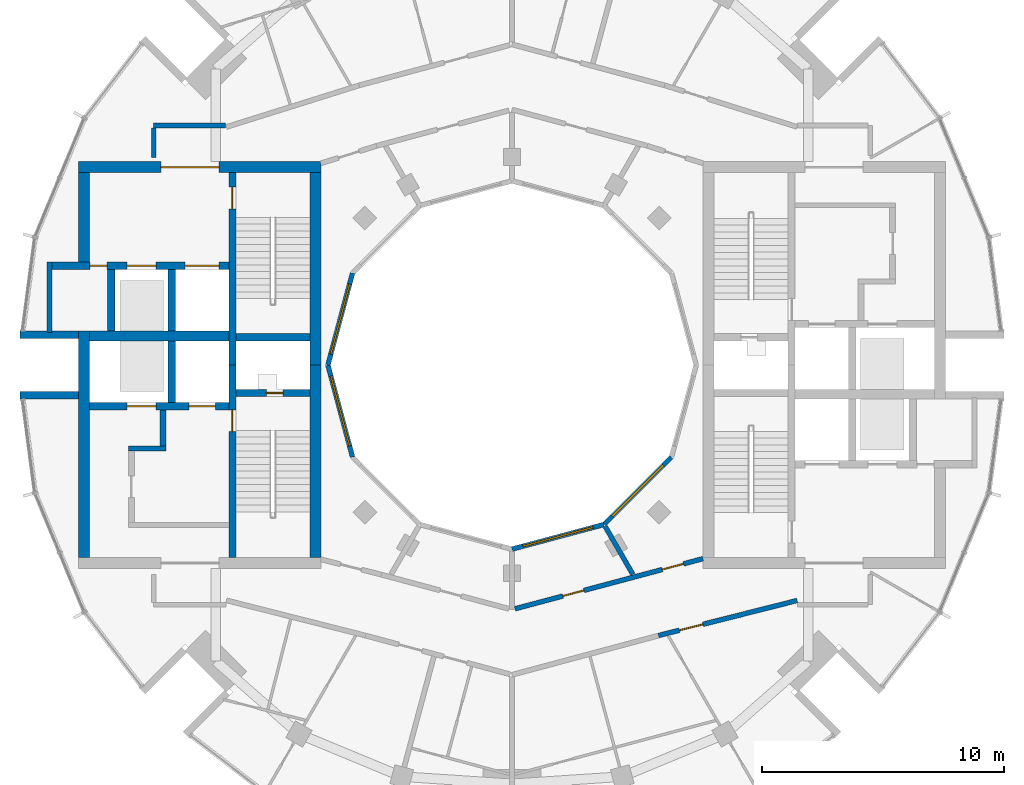
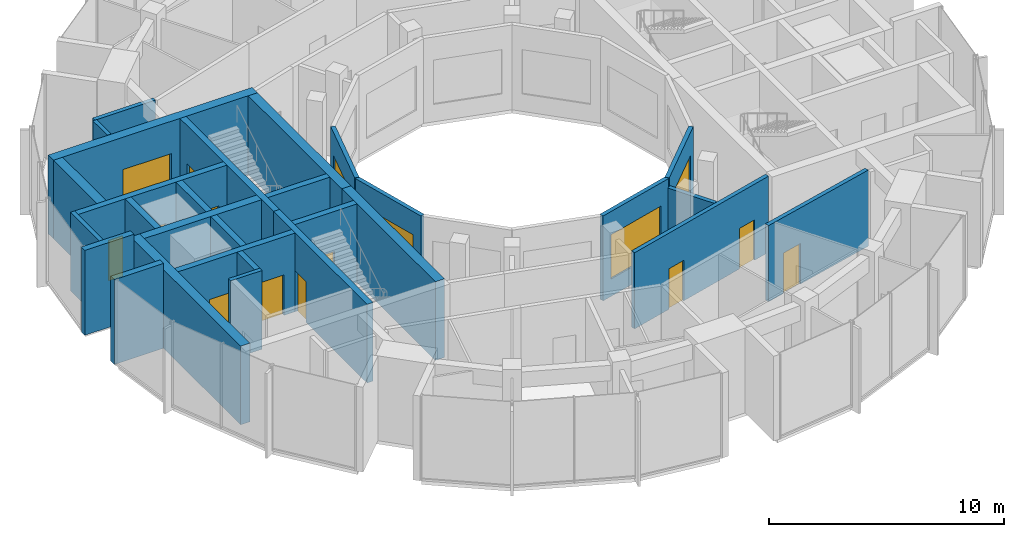
# One storey, part 8 of 13: 29 walls, 12 doors, 4 windows, 16 openings.
"""IFC4 building model written with IfcOpenShell, lengths in metres."""

from ifc_helpers import new_model, si_unit, direction, frame, frame_2d, origin, place, context, subcontext, project, spatial, rectangle, extrude, material, layer, layer_set, type_object, element, fill, save


model = new_model("IFC4")

# Units and contexts
model_context = context("Model", 3, precision=1e-05, world=origin(), true_north=direction((0.0, 1.0)))
body_context = subcontext(model_context, "Body", "Model", "MODEL_VIEW")
ifc_project = project(units=[si_unit("LENGTHUNIT", "METRE"), si_unit("AREAUNIT", "SQUARE_METRE"), si_unit("VOLUMEUNIT", "CUBIC_METRE"), si_unit("PLANEANGLEUNIT", "RADIAN"), si_unit("MASSUNIT", "GRAM", prefix="KILO")], contexts=[model_context])

# Site, building, storey
site_placement = place(None, origin())
site = spatial("IfcSite", under=ifc_project, at=site_placement, CompositionType="ELEMENT")
building_placement = place(site_placement, origin())
building = spatial("IfcBuilding", under=site, at=building_placement, Name="Torre Brocal", CompositionType="ELEMENT")
storey_placement = place(building_placement, frame((0.0, 0.0, 319.300048828125)))
storey = spatial("IfcBuildingStorey", under=building, at=storey_placement, Name="L73", CompositionType="ELEMENT", Elevation=319.300048828125)

# Walls
ifc_material_1 = material(Name="Masonry block", Category="masonry")
ifc_layer_1 = layer(ifc_material_1, 0.199951171875)
ifc_layer_set_1 = layer_set([ifc_layer_1], Name="Masonry block")
wall_type_1 = type_object("IfcWallType", Name="CORE PARTITION 200", PredefinedType="PARTITIONING", material=ifc_layer_set_1)
wall_1_placement = place(storey_placement, frame((60.89990234375, 79.25, 0.0), z_axis=(0.0, 0.0, 1.0), x_axis=(0.0, -1.0, 0.0)))
element("IfcWall", 1, at=wall_1_placement, inside=storey, type_object=wall_type_1, Name="Wall CP200", PredefinedType="PARTITIONING", context=body_context, shape_type="SweptSolid", body=[
    extrude(rectangle(XDim=2.89990234375, YDim=0.199951171875, at=frame_2d((1.449951171875, 0.0))), origin(), (0.0, 0.0, 1.0), 4.079833984375),
])
ifc_material_2 = material(Name="Concrete C50", Category="concrete")
ifc_layer_2 = layer(ifc_material_2, 0.199951171875)
ifc_layer_set_2 = layer_set([ifc_layer_2], Name="Concrete C50")
wall_type_2 = type_object("IfcWallType", Name="CORE WALL 200 C50", PredefinedType="SHEAR", material=ifc_layer_set_2)
wall_2_placement = place(storey_placement, frame((65.699951171875, 71.550048828125, 0.0), z_axis=(0.0, 0.0, 1.0), x_axis=(-1.0, 0.0, 0.0)))
element("IfcWall", 2, at=wall_2_placement, inside=storey, type_object=wall_type_2, Name="Wall CW200-50", PredefinedType="SHEAR", context=body_context, shape_type="SweptSolid", body=[
    extrude(rectangle(XDim=1.550048828125, YDim=0.199951171875, at=frame_2d((0.77490234375, 0.0))), origin(), (0.0, 0.0, 1.0), 4.079833984375),
])
ifc_material_3 = material(Name="Concrete C50", Category="concrete")
ifc_layer_3 = layer(ifc_material_3, 0.25)
ifc_layer_set_3 = layer_set([ifc_layer_3], Name="Concrete C50")
wall_type_3 = type_object("IfcWallType", Name="CORE WALL 250 C50", PredefinedType="SHEAR", material=ifc_layer_set_3)
wall_3_placement = place(storey_placement, frame((65.574951171875, 73.14990234375, 0.0), z_axis=(0.0, 0.0, 1.0), x_axis=(0.0, -1.0, 0.0)))
element("IfcWall", 3, at=wall_3_placement, inside=storey, type_object=wall_type_3, Name="Wall CW250-50", PredefinedType="SHEAR", context=body_context, shape_type="SweptSolid", body=[
    extrude(rectangle(XDim=1.5, YDim=0.25, at=frame_2d((0.75, 0.0))), origin(), (0.0, 0.0, 1.0), 4.079833984375),
])

# Wall, opening, door
ifc_material_4 = material(Name="Concrete C50", Category="concrete")
ifc_layer_4 = layer(ifc_material_4, 0.300048828125)
ifc_layer_set_4 = layer_set([ifc_layer_4], Name="Concrete C50")
wall_type_4 = type_object("IfcWallType", Name="CORE WALL 300 C50", PredefinedType="SHEAR", material=ifc_layer_set_4)
wall_4_placement = place(storey_placement, frame((68.449951171875, 75.0, 0.0), z_axis=(0.0, 0.0, 1.0), x_axis=(0.0, -1.0, 0.0)))
wall_4 = element("IfcWall", 4, at=wall_4_placement, inside=storey, type_object=wall_type_4, Name="Wall CW300-50", PredefinedType="SHEAR", context=body_context, shape_type="SweptSolid", body=[
    extrude(rectangle(XDim=7.949951171875, YDim=0.300048828125, at=frame_2d((3.97509765625, 0.0))), origin(), (0.0, 0.0, 1.0), 4.079833984375),
])
opening_1_placement = place(wall_4_placement, frame((1.85009765625, 0.0, 0.0)))
opening_1 = element("IfcOpeningElement", 5, at=opening_1_placement, cuts=wall_4, Name="Opening W-D02", PredefinedType="OPENING", context=body_context, shape_type="SweptSolid", body=[
    extrude(rectangle(XDim=0.89990234375, YDim=2.10009765625, at=frame_2d((0.449951171875, 1.050048828125))), frame((0.0, 0.159912109375, 0.0), z_axis=(0.0, -1.0, 0.0), x_axis=(1.0, 0.0, 0.0)), (0.0, 0.0, 1.0), 0.320068359375),
])
ifc_material_5 = material(Name="Steel A653", Category="steel")
door_type_1 = type_object("IfcDoorType", Name="STAIR DOOR FD120 900X2100", OperationType="SINGLE_SWING_RIGHT", PredefinedType="DOOR", material=ifc_material_5)
door_1_placement = place(opening_1_placement, origin())
door_1 = element("IfcDoor", 6, at=door_1_placement, inside=storey, type_object=door_type_1, Name="Door W-D02", OperationType="SINGLE_SWING_LEFT", OverallHeight=2.10009765625, OverallWidth=0.89990234375, PredefinedType="DOOR", context=body_context, shape_type="SweptSolid", body=[
    extrude(rectangle(XDim=0.89990234375, YDim=2.10009765625, at=frame_2d((0.449951171875, 1.050048828125))), frame((0.0, 0.02490234375, 0.0), z_axis=(0.0, -1.0, 0.0), x_axis=(1.0, 0.0, 0.0)), (0.0, 0.0, 1.0), 0.050048828125),
])
fill(opening_1, door_1)

wall_5_placement = place(storey_placement, frame((68.449951171875, 82.949951171875, 0.0), z_axis=(0.0, 0.0, 1.0), x_axis=(0.0, -1.0, 0.0)))
wall_5 = element("IfcWall", 7, at=wall_5_placement, inside=storey, type_object=wall_type_4, Name="Wall CW300-50", PredefinedType="SHEAR", context=body_context, shape_type="SweptSolid", body=[
    extrude(rectangle(XDim=7.949951171875, YDim=0.300048828125, at=frame_2d((3.97509765625, 0.0))), origin(), (0.0, 0.0, 1.0), 4.079833984375),
])
opening_2_placement = place(wall_5_placement, frame((0.60009765625, 0.0, 0.0)))
opening_2 = element("IfcOpeningElement", 8, at=opening_2_placement, cuts=wall_5, Name="Opening W-D03", PredefinedType="OPENING", context=body_context, shape_type="SweptSolid", body=[
    extrude(rectangle(XDim=0.89990234375, YDim=2.10009765625, at=frame_2d((0.449951171875, 1.050048828125))), frame((0.0, 0.159912109375, 0.0), z_axis=(0.0, -1.0, 0.0), x_axis=(1.0, 0.0, 0.0)), (0.0, 0.0, 1.0), 0.320068359375),
])
door_2_placement = place(opening_2_placement, origin())
door_2 = element("IfcDoor", 9, at=door_2_placement, inside=storey, type_object=door_type_1, Name="Door W-D03", OperationType="SINGLE_SWING_LEFT", OverallHeight=2.10009765625, OverallWidth=0.89990234375, PredefinedType="DOOR", context=body_context, shape_type="SweptSolid", body=[
    extrude(rectangle(XDim=0.89990234375, YDim=2.10009765625, at=frame_2d((0.449951171875, 1.050048828125))), frame((0.0, 0.02490234375, 0.0), z_axis=(0.0, -1.0, 0.0), x_axis=(1.0, 0.0, 0.0)), (0.0, 0.0, 1.0), 0.050048828125),
])
fill(opening_2, door_2)

wall_6_placement = place(storey_placement, frame((71.64990234375, 73.85009765625, 0.0), z_axis=(0.0, 0.0, 1.0), x_axis=(-1.0, 0.0, 0.0)))
wall_6 = element("IfcWall", 10, at=wall_6_placement, inside=storey, type_object=wall_type_4, Name="Wall CW300-50", PredefinedType="SHEAR", context=body_context, shape_type="SweptSolid", body=[
    extrude(rectangle(XDim=3.0498046875, YDim=0.300048828125, at=frame_2d((1.52490234375, 0.0))), origin(), (0.0, 0.0, 1.0), 4.079833984375),
])
opening_3_placement = place(wall_6_placement, frame((1.10009765625, 0.0, 0.0)))
opening_3 = element("IfcOpeningElement", 11, at=opening_3_placement, cuts=wall_6, Name="Opening W-D01", PredefinedType="OPENING", context=body_context, shape_type="SweptSolid", body=[
    extrude(rectangle(XDim=0.699951171875, YDim=2.0, at=frame_2d((0.35009765625, 1.0))), frame((0.0, 0.159912109375, 0.0), z_axis=(0.0, -1.0, 0.0), x_axis=(1.0, 0.0, 0.0)), (0.0, 0.0, 1.0), 0.320068359375),
])
ifc_material_6 = material(Name="Steel A653", Category="steel")
door_type_2 = type_object("IfcDoorType", Name="RISER DOOR FD120 700X2000", OperationType="SINGLE_SWING_LEFT", PredefinedType="DOOR", material=ifc_material_6)
door_3_placement = place(opening_3_placement, frame((0.699951171875, 0.0, 0.0), z_axis=(0.0, 0.0, 1.0), x_axis=(-1.0, 0.0, 0.0)))
door_3 = element("IfcDoor", 12, at=door_3_placement, inside=storey, type_object=door_type_2, Name="Door W-D01", OperationType="SINGLE_SWING_RIGHT", OverallHeight=2.0, OverallWidth=0.699951171875, PredefinedType="DOOR", context=body_context, shape_type="SweptSolid", body=[
    extrude(rectangle(XDim=0.699951171875, YDim=2.0, at=frame_2d((0.35009765625, 1.0))), frame((0.0, 0.02490234375, 0.0), z_axis=(0.0, -1.0, 0.0), x_axis=(1.0, 0.0, 0.0)), (0.0, 0.0, 1.0), 0.050048828125),
])
fill(opening_3, door_3)

# Wall
wall_7_placement = place(storey_placement, frame((71.64990234375, 76.14990234375, 0.0), z_axis=(0.0, 0.0, 1.0), x_axis=(-1.0, 0.0, 0.0)))
element("IfcWall", 13, at=wall_7_placement, inside=storey, type_object=wall_type_4, Name="Wall CW300-50", PredefinedType="SHEAR", context=body_context, shape_type="SweptSolid", body=[
    extrude(rectangle(XDim=3.0498046875, YDim=0.300048828125, at=frame_2d((1.52490234375, 0.0))), origin(), (0.0, 0.0, 1.0), 4.079833984375),
])

# Wall, openings, doors
wall_8_placement = place(storey_placement, frame((68.300048828125, 73.300048828125, 0.0), z_axis=(0.0, 0.0, 1.0), x_axis=(-1.0, 0.0, 0.0)))
wall_8 = element("IfcWall", 14, at=wall_8_placement, inside=storey, type_object=wall_type_4, Name="Wall CW300-50", PredefinedType="SHEAR", context=body_context, shape_type="SweptSolid", body=[
    extrude(rectangle(XDim=5.75, YDim=0.300048828125, at=frame_2d((2.875, 0.0))), origin(), (0.0, 0.0, 1.0), 4.079833984375),
])
opening_4_placement = place(wall_8_placement, frame((0.550048828125, 0.0, 0.0)))
opening_4 = element("IfcOpeningElement", 15, at=opening_4_placement, cuts=wall_8, Name="Opening LD", PredefinedType="OPENING", context=body_context, shape_type="SweptSolid", body=[
    extrude(rectangle(XDim=1.10009765625, YDim=2.10009765625, at=frame_2d((0.550048828125, 1.050048828125))), frame((0.0, 0.159912109375, 0.0), z_axis=(0.0, -1.0, 0.0), x_axis=(1.0, 0.0, 0.0)), (0.0, 0.0, 1.0), 0.320068359375),
])
opening_5_placement = place(wall_8_placement, frame((3.0, 0.0, 0.0)))
opening_5 = element("IfcOpeningElement", 16, at=opening_5_placement, cuts=wall_8, Name="Opening LD12", PredefinedType="OPENING", context=body_context, shape_type="SweptSolid", body=[
    extrude(rectangle(XDim=1.199951171875, YDim=2.10009765625, at=frame_2d((0.60009765625, 1.050048828125))), frame((0.0, 0.159912109375, 0.0), z_axis=(0.0, -1.0, 0.0), x_axis=(1.0, 0.0, 0.0)), (0.0, 0.0, 1.0), 0.320068359375),
])
ifc_material_7 = material(Name="Stainless steel AISI 316", Category="steel")
door_type_3 = type_object("IfcDoorType", Name="LIFT LANDING DOOR 1100X2100", OperationType="DOUBLE_DOOR_SLIDING", PredefinedType="DOOR", material=ifc_material_7)
door_4_placement = place(opening_4_placement, origin())
door_4 = element("IfcDoor", 17, at=door_4_placement, inside=storey, type_object=door_type_3, Name="Door LD", OperationType="DOUBLE_DOOR_SLIDING", OverallHeight=2.10009765625, OverallWidth=1.10009765625, PredefinedType="DOOR", context=body_context, shape_type="SweptSolid", body=[
    extrude(rectangle(XDim=1.10009765625, YDim=2.10009765625, at=frame_2d((0.550048828125, 1.050048828125))), frame((0.0, 0.02490234375, 0.0), z_axis=(0.0, -1.0, 0.0), x_axis=(1.0, 0.0, 0.0)), (0.0, 0.0, 1.0), 0.050048828125),
])
fill(opening_4, door_4)
ifc_material_8 = material(Name="Stainless steel AISI 316", Category="steel")
door_type_4 = type_object("IfcDoorType", Name="LIFT LANDING DOOR 1200X2100", OperationType="DOUBLE_DOOR_SLIDING", PredefinedType="DOOR", material=ifc_material_8)
door_5_placement = place(opening_5_placement, origin())
door_5 = element("IfcDoor", 18, at=door_5_placement, inside=storey, type_object=door_type_4, Name="Door LD12", OperationType="DOUBLE_DOOR_SLIDING", OverallHeight=2.10009765625, OverallWidth=1.199951171875, PredefinedType="DOOR", context=body_context, shape_type="SweptSolid", body=[
    extrude(rectangle(XDim=1.199951171875, YDim=2.10009765625, at=frame_2d((0.60009765625, 1.050048828125))), frame((0.0, 0.02490234375, 0.0), z_axis=(0.0, -1.0, 0.0), x_axis=(1.0, 0.0, 0.0)), (0.0, 0.0, 1.0), 0.050048828125),
])
fill(opening_5, door_5)

wall_9_placement = place(storey_placement, frame((68.300048828125, 79.10009765625, 0.0), z_axis=(0.0, 0.0, 1.0), x_axis=(-1.0, 0.0, 0.0)))
wall_9 = element("IfcWall", 19, at=wall_9_placement, inside=storey, type_object=wall_type_4, Name="Wall CW300-50", PredefinedType="SHEAR", context=body_context, shape_type="SweptSolid", body=[
    extrude(rectangle(XDim=7.300048828125, YDim=0.300048828125, at=frame_2d((3.64990234375, 0.0))), origin(), (0.0, 0.0, 1.0), 4.079833984375),
])
opening_6_placement = place(wall_9_placement, frame((0.39990234375, 0.0, 0.0)))
opening_6 = element("IfcOpeningElement", 20, at=opening_6_placement, cuts=wall_9, Name="Opening LD14", PredefinedType="OPENING", context=body_context, shape_type="SweptSolid", body=[
    extrude(rectangle(XDim=1.39990234375, YDim=2.10009765625, at=frame_2d((0.699951171875, 1.050048828125))), frame((0.0, 0.159912109375, 0.0), z_axis=(0.0, -1.0, 0.0), x_axis=(1.0, 0.0, 0.0)), (0.0, 0.0, 1.0), 0.320068359375),
])
opening_7_placement = place(wall_9_placement, frame((3.0, 0.0, 0.0)))
opening_7 = element("IfcOpeningElement", 21, at=opening_7_placement, cuts=wall_9, Name="Opening LD12", PredefinedType="OPENING", context=body_context, shape_type="SweptSolid", body=[
    extrude(rectangle(XDim=1.199951171875, YDim=2.10009765625, at=frame_2d((0.60009765625, 1.050048828125))), frame((0.0, 0.159912109375, 0.0), z_axis=(0.0, -1.0, 0.0), x_axis=(1.0, 0.0, 0.0)), (0.0, 0.0, 1.0), 0.320068359375),
])
opening_8_placement = place(wall_9_placement, frame((5.02490234375, 0.0, 0.0)))
opening_8 = element("IfcOpeningElement", 22, at=opening_8_placement, cuts=wall_9, Name="Opening W-D17", PredefinedType="OPENING", context=body_context, shape_type="SweptSolid", body=[
    extrude(rectangle(XDim=0.699951171875, YDim=2.10009765625, at=frame_2d((0.35009765625, 1.050048828125))), frame((0.0, 0.159912109375, 0.0), z_axis=(0.0, -1.0, 0.0), x_axis=(1.0, 0.0, 0.0)), (0.0, 0.0, 1.0), 0.320068359375),
])
door_6_placement = place(opening_7_placement, origin())
door_6 = element("IfcDoor", 23, at=door_6_placement, inside=storey, type_object=door_type_4, Name="Door LD12", OperationType="DOUBLE_DOOR_SLIDING", OverallHeight=2.10009765625, OverallWidth=1.199951171875, PredefinedType="DOOR", context=body_context, shape_type="SweptSolid", body=[
    extrude(rectangle(XDim=1.199951171875, YDim=2.10009765625, at=frame_2d((0.60009765625, 1.050048828125))), frame((0.0, 0.02490234375, 0.0), z_axis=(0.0, -1.0, 0.0), x_axis=(1.0, 0.0, 0.0)), (0.0, 0.0, 1.0), 0.050048828125),
])
fill(opening_7, door_6)
ifc_material_9 = material(Name="Stainless steel AISI 316", Category="steel")
door_type_5 = type_object("IfcDoorType", Name="LIFT LANDING DOOR 1400X2100", OperationType="DOUBLE_DOOR_SLIDING", PredefinedType="DOOR", material=ifc_material_9)
door_7_placement = place(opening_6_placement, origin())
door_7 = element("IfcDoor", 24, at=door_7_placement, inside=storey, type_object=door_type_5, Name="Door LD14", OperationType="DOUBLE_DOOR_SLIDING", OverallHeight=2.10009765625, OverallWidth=1.39990234375, PredefinedType="DOOR", context=body_context, shape_type="SweptSolid", body=[
    extrude(rectangle(XDim=1.39990234375, YDim=2.10009765625, at=frame_2d((0.699951171875, 1.050048828125))), frame((0.0, 0.02490234375, 0.0), z_axis=(0.0, -1.0, 0.0), x_axis=(1.0, 0.0, 0.0)), (0.0, 0.0, 1.0), 0.050048828125),
])
fill(opening_6, door_7)
ifc_material_10 = material(Name="Steel A653", Category="steel")
door_type_6 = type_object("IfcDoorType", Name="ROOM DOOR FD30S 700X2100", OperationType="SINGLE_SWING_LEFT", PredefinedType="DOOR", material=ifc_material_10)
door_8_placement = place(opening_8_placement, origin())
door_8 = element("IfcDoor", 25, at=door_8_placement, inside=storey, type_object=door_type_6, Name="Door W-D17", OperationType="SINGLE_SWING_LEFT", OverallHeight=2.10009765625, OverallWidth=0.699951171875, PredefinedType="DOOR", context=body_context, shape_type="SweptSolid", body=[
    extrude(rectangle(XDim=0.699951171875, YDim=2.10009765625, at=frame_2d((0.35009765625, 1.050048828125))), frame((0.0, 0.02490234375, 0.0), z_axis=(0.0, -1.0, 0.0), x_axis=(1.0, 0.0, 0.0)), (0.0, 0.0, 1.0), 0.050048828125),
])
fill(opening_8, door_8)

# Walls
for number, where, z_axis, x_axis, name in (
    (26, (65.949951171875, 76.0, 0.0), (0.0, 0.0, 1.0), (0.0, -1.0, 0.0), "Wall CW300-50"),
    (27, (65.949951171875, 78.949951171875, 0.0), (0.0, 0.0, 1.0), (0.0, -1.0, 0.0), "Wall CW300-50"),
    (28, (63.449951171875, 78.949951171875, 0.0), (0.0, 0.0, 1.0), (0.0, -1.0, 0.0), "Wall CW300-50"),
):
    element("IfcWall", number, at=place(storey_placement, frame(where, z_axis=z_axis, x_axis=x_axis)), inside=storey, type_object=wall_type_4, Name=name, PredefinedType="SHEAR", context=body_context, shape_type="SweptSolid", body=[
        extrude(rectangle(XDim=2.550048828125, YDim=0.300048828125, at=frame_2d((1.27490234375, 0.0))), origin(), (0.0, 0.0, 1.0), 4.079833984375),
    ])
ifc_material_11 = material(Name="Concrete C50", Category="concrete")
ifc_layer_5 = layer(ifc_material_11, 0.39990234375)
ifc_layer_set_5 = layer_set([ifc_layer_5], Name="Concrete C50")
wall_type_5 = type_object("IfcWallType", Name="CORE WALL 400 C50", PredefinedType="SHEAR", material=ifc_layer_set_5)
wall_10_placement = place(storey_placement, frame((68.300048828125, 76.199951171875, 0.0), z_axis=(0.0, 0.0, 1.0), x_axis=(-1.0, 0.0, 0.0)))
element("IfcWall", 29, at=wall_10_placement, inside=storey, type_object=wall_type_5, Name="Wall CW400-50", PredefinedType="SHEAR", context=body_context, shape_type="SweptSolid", body=[
    extrude(rectangle(XDim=5.75, YDim=0.39990234375, at=frame_2d((2.875, 0.0))), origin(), (0.0, 0.0, 1.0), 4.079833984375),
])

# Wall, opening, door
ifc_material_12 = material(Name="Concrete C50", Category="concrete")
ifc_layer_6 = layer(ifc_material_12, 0.449951171875)
ifc_layer_set_6 = layer_set([ifc_layer_6], Name="Concrete C50")
wall_type_6 = type_object("IfcWallType", Name="CORE WALL 450 C50", PredefinedType="SHEAR", material=ifc_layer_set_6)
wall_11_placement = place(storey_placement, frame((72.10009765625, 83.175048828125, 0.0), z_axis=(0.0, 0.0, 1.0), x_axis=(-1.0, 0.0, 0.0)))
wall_11 = element("IfcWall", 30, at=wall_11_placement, inside=storey, type_object=wall_type_6, Name="Wall CW450-50", PredefinedType="SHEAR", context=body_context, shape_type="SweptSolid", body=[
    extrude(rectangle(XDim=10.0, YDim=0.449951171875, at=frame_2d((5.0, 0.0))), origin(), (0.0, 0.0, 1.0), 4.079833984375),
])
opening_9_placement = place(wall_11_placement, frame((4.199951171875, 0.0, 0.0)))
opening_9 = element("IfcOpeningElement", 31, at=opening_9_placement, cuts=wall_11, Name="Opening W-D24", PredefinedType="OPENING", context=body_context, shape_type="SweptSolid", body=[
    extrude(rectangle(XDim=2.39990234375, YDim=2.39990234375, at=frame_2d((1.199951171875, 1.199951171875))), frame((0.0, 0.23486328125, 0.0), z_axis=(0.0, -1.0, 0.0), x_axis=(1.0, 0.0, 0.0)), (0.0, 0.0, 1.0), 0.469970703125),
])
ifc_material_13 = material(Name="Steel A653", Category="steel")
door_type_7 = type_object("IfcDoorType", Name="DOUBLE FIRE DOOR FD90 2400X2400", OperationType="DOUBLE_DOOR_SINGLE_SWING", PredefinedType="DOOR", material=ifc_material_13)
door_9_placement = place(opening_9_placement, origin())
door_9 = element("IfcDoor", 32, at=door_9_placement, inside=storey, type_object=door_type_7, Name="Door W-D24", OperationType="DOUBLE_DOOR_SINGLE_SWING", OverallHeight=2.39990234375, OverallWidth=2.39990234375, PredefinedType="DOOR", context=body_context, shape_type="SweptSolid", body=[
    extrude(rectangle(XDim=2.39990234375, YDim=2.39990234375, at=frame_2d((1.199951171875, 1.199951171875))), frame((0.0, 0.02490234375, 0.0), z_axis=(0.0, -1.0, 0.0), x_axis=(1.0, 0.0, 0.0)), (0.0, 0.0, 1.0), 0.050048828125),
])
fill(opening_9, door_9)

# Walls
for number, where, z_axis, x_axis, name in (
    (33, (71.875, 75.0, 0.0), (0.0, 0.0, 1.0), (0.0, -1.0, 0.0), "Wall CW450-50"),
    (34, (71.875, 82.949951171875, 0.0), (0.0, 0.0, 1.0), (0.0, -1.0, 0.0), "Wall CW450-50"),
):
    element("IfcWall", number, at=place(storey_placement, frame(where, z_axis=z_axis, x_axis=x_axis)), inside=storey, type_object=wall_type_6, Name=name, PredefinedType="SHEAR", context=body_context, shape_type="SweptSolid", body=[
        extrude(rectangle(XDim=7.949951171875, YDim=0.449951171875, at=frame_2d((3.97509765625, 0.0))), origin(), (0.0, 0.0, 1.0), 4.079833984375),
    ])
wall_12_placement = place(storey_placement, frame((62.324951171875, 76.39990234375, 0.0), z_axis=(0.0, 0.0, 1.0), x_axis=(0.0, -1.0, 0.0)))
element("IfcWall", 35, at=wall_12_placement, inside=storey, type_object=wall_type_6, Name="Wall CW450-50", PredefinedType="SHEAR", context=body_context, shape_type="SweptSolid", body=[
    extrude(rectangle(XDim=9.349853515625, YDim=0.449951171875, at=frame_2d((4.6748046875, 0.0))), origin(), (0.0, 0.0, 1.0), 4.079833984375),
])
wall_13_placement = place(storey_placement, frame((62.324951171875, 82.949951171875, 0.0), z_axis=(0.0, 0.0, 1.0), x_axis=(0.0, -1.0, 0.0)))
element("IfcWall", 36, at=wall_13_placement, inside=storey, type_object=wall_type_6, Name="Wall CW450-50", PredefinedType="SHEAR", context=body_context, shape_type="SweptSolid", body=[
    extrude(rectangle(XDim=3.699951171875, YDim=0.449951171875, at=frame_2d((1.85009765625, 0.0))), origin(), (0.0, 0.0, 1.0), 4.079833984375),
])
ifc_material_14 = material(Name="Concrete C50", Category="concrete")
ifc_layer_7 = layer(ifc_material_14, 0.300048828125)
ifc_layer_set_7 = layer_set([ifc_layer_7], Name="Concrete C50")
wall_type_7 = type_object("IfcWallType", Name="NOTCH RETURN WALL 300 C50", PredefinedType="NOTDEFINED", material=ifc_layer_set_7)
for number, where, z_axis, x_axis, name in (
    (37, (62.10009765625, 76.25, 0.0), (0.0, 0.0, 1.0), (-1.0, 0.0, 0.0), "NOTCH RETURN WALL"),
    (38, (62.10009765625, 73.75, 0.0), (0.0, 0.0, 1.0), (-1.0, 0.0, 0.0), "NOTCH RETURN WALL"),
):
    element("IfcWall", number, at=place(storey_placement, frame(where, z_axis=z_axis, x_axis=x_axis)), inside=storey, type_object=wall_type_7, Name=name, PredefinedType="NOTDEFINED", context=body_context, shape_type="SweptSolid", body=[
        extrude(rectangle(XDim=2.415771484375, YDim=0.300048828125, at=frame_2d((1.2080078125, 0.0))), origin(), (0.0, 0.0, 1.0), 4.39990234375),
    ])
ifc_material_15 = material(Name="Gypsum board", Category="Gypsum")
ifc_layer_8 = layer(ifc_material_15, 0.199951171875)
ifc_layer_set_8 = layer_set([ifc_layer_8], Name="Gypsum board")
wall_type_8 = type_object("IfcWallType", Name="PARTITION 200 EI60", PredefinedType="PARTITIONING", material=ifc_layer_set_8)
wall_14_placement = place(storey_placement, frame((65.199951171875, 83.576904296875, 0.0), z_axis=(0.0, 0.0, 1.0), x_axis=(0.0, 1.0, 0.0)))
element("IfcWall", 39, at=wall_14_placement, inside=storey, type_object=wall_type_8, Name="GUESTROOM CORRIDOR WALL", PredefinedType="PARTITIONING", context=body_context, shape_type="SweptSolid", body=[
    extrude(rectangle(XDim=1.22314453125, YDim=0.199951171875, at=frame_2d((0.611572265625, 0.0))), origin(), (0.0, 0.0, 1.0), 3.949951171875),
])
wall_15_placement = place(storey_placement, frame((65.199951171875, 84.89990234375, 0.0), z_axis=(0.0, 0.0, 1.0), x_axis=(1.0, 0.0, 0.0)))
element("IfcWall", 40, at=wall_15_placement, inside=storey, type_object=wall_type_8, Name="GUESTROOM CORRIDOR WALL", PredefinedType="PARTITIONING", context=body_context, shape_type="SweptSolid", body=[
    extrude(rectangle(XDim=2.969970703125, YDim=0.199951171875, at=frame_2d((1.48486328125, 0.0))), origin(), (0.0, 0.0, 1.0), 3.949951171875),
])

# Wall, openings, doors
wall_16_placement = place(storey_placement, frame((80.125, 64.931640625, 0.0), z_axis=(0.0, 0.0, 1.0), x_axis=(0.966236955806, 0.257655089674, 0.0)))
wall_16 = element("IfcWall", 41, at=wall_16_placement, inside=storey, type_object=wall_type_8, Name="CORRIDOR WALL", PredefinedType="PARTITIONING", context=body_context, shape_type="SweptSolid", body=[
    extrude(rectangle(XDim=8.0390625, YDim=0.199951171875, at=frame_2d((4.01953125, 0.0))), origin(), (0.0, 0.0, 1.0), 3.949951171875),
])
opening_10_placement = place(wall_16_placement, frame((6.298095703125, 0.0, 0.0)))
opening_10 = element("IfcOpeningElement", 42, at=opening_10_placement, cuts=wall_16, Name="Opening N05-D31", PredefinedType="OPENING", context=body_context, shape_type="SweptSolid", body=[
    extrude(rectangle(XDim=0.89990234375, YDim=2.10009765625, at=frame_2d((0.449951171875, 1.050048828125))), frame((0.0, 0.10986328125, 0.0), z_axis=(0.0, -1.0, 0.0), x_axis=(1.0, 0.0, 0.0)), (0.0, 0.0, 1.0), 0.219970703125),
])
opening_11_placement = place(wall_16_placement, frame((2.044921875, 0.0, 0.0)))
opening_11 = element("IfcOpeningElement", 43, at=opening_11_placement, cuts=wall_16, Name="Opening N05-D32", PredefinedType="OPENING", context=body_context, shape_type="SweptSolid", body=[
    extrude(rectangle(XDim=0.89990234375, YDim=2.10009765625, at=frame_2d((0.449951171875, 1.050048828125))), frame((0.0, 0.10986328125, 0.0), z_axis=(0.0, -1.0, 0.0), x_axis=(1.0, 0.0, 0.0)), (0.0, 0.0, 1.0), 0.219970703125),
])
ifc_material_16 = material(Name="Timber", Category="wood")
door_type_8 = type_object("IfcDoorType", Name="ROOM DOOR 900X2100", OperationType="SINGLE_SWING_LEFT", PredefinedType="DOOR", material=ifc_material_16)
door_10_placement = place(opening_10_placement, origin())
door_10 = element("IfcDoor", 44, at=door_10_placement, inside=storey, type_object=door_type_8, Name="N05-D31", OperationType="SINGLE_SWING_RIGHT", OverallHeight=2.10009765625, OverallWidth=0.89990234375, PredefinedType="DOOR", context=body_context, shape_type="SweptSolid", body=[
    extrude(rectangle(XDim=0.89990234375, YDim=2.10009765625, at=frame_2d((0.449951171875, 1.050048828125))), frame((0.0, 0.02490234375, 0.0), z_axis=(0.0, -1.0, 0.0), x_axis=(1.0, 0.0, 0.0)), (0.0, 0.0, 1.0), 0.050048828125),
])
fill(opening_10, door_10)
door_11_placement = place(opening_11_placement, origin())
door_11 = element("IfcDoor", 45, at=door_11_placement, inside=storey, type_object=door_type_8, Name="N05-D32", OperationType="SINGLE_SWING_RIGHT", OverallHeight=2.10009765625, OverallWidth=0.89990234375, PredefinedType="DOOR", context=body_context, shape_type="SweptSolid", body=[
    extrude(rectangle(XDim=0.89990234375, YDim=2.10009765625, at=frame_2d((0.449951171875, 1.050048828125))), frame((0.0, 0.02490234375, 0.0), z_axis=(0.0, -1.0, 0.0), x_axis=(1.0, 0.0, 0.0)), (0.0, 0.0, 1.0), 0.050048828125),
])
fill(opening_11, door_11)

# Wall
wall_17_placement = place(storey_placement, frame((83.849609375, 68.333251953125, 0.0), z_axis=(0.0, 0.0, 1.0), x_axis=(0.500080019051, -0.865979199835, 0.0)))
element("IfcWall", 46, at=wall_17_placement, inside=storey, type_object=wall_type_8, Name="PARTY PARTITION", PredefinedType="PARTITIONING", context=body_context, shape_type="SweptSolid", body=[
    extrude(rectangle(XDim=2.285400390625, YDim=0.199951171875, at=frame_2d((1.142578125, 0.0))), origin(), (0.0, 0.0, 1.0), 3.949951171875),
])

# Wall, opening, door
wall_18_placement = place(storey_placement, frame((86.052978515625, 63.826171875, 0.0), z_axis=(0.0, 0.0, 1.0), x_axis=(0.969480070232, 0.245170131586, 0.0)))
wall_18 = element("IfcWall", 47, at=wall_18_placement, inside=storey, type_object=wall_type_8, Name="FLAT ENTRANCE WALL", PredefinedType="PARTITIONING", context=body_context, shape_type="SweptSolid", body=[
    extrude(rectangle(XDim=5.906982421875, YDim=0.199951171875, at=frame_2d((2.95361328125, 0.0))), origin(), (0.0, 0.0, 1.0), 3.949951171875),
])
opening_12_placement = place(wall_18_placement, frame((0.889404296875, 0.0, 0.0)))
opening_12 = element("IfcOpeningElement", 48, at=opening_12_placement, cuts=wall_18, Name="Opening N05-D18", PredefinedType="OPENING", context=body_context, shape_type="SweptSolid", body=[
    extrude(rectangle(XDim=1.0, YDim=2.10009765625, at=frame_2d((0.5, 1.050048828125))), frame((0.0, 0.10986328125, 0.0), z_axis=(0.0, -1.0, 0.0), x_axis=(1.0, 0.0, 0.0)), (0.0, 0.0, 1.0), 0.219970703125),
])
ifc_material_17 = material(Name="Timber", Category="wood")
door_type_9 = type_object("IfcDoorType", Name="FLAT ENTRY DOOR FD30S 1000X2100", OperationType="SINGLE_SWING_RIGHT", PredefinedType="DOOR", material=ifc_material_17)
door_12_placement = place(opening_12_placement, frame((1.0, 0.0, 0.0), z_axis=(0.0, 0.0, 1.0), x_axis=(-1.0, 0.0, 0.0)))
door_12 = element("IfcDoor", 49, at=door_12_placement, inside=storey, type_object=door_type_9, Name="N05-D18", OperationType="SINGLE_SWING_RIGHT", OverallHeight=2.10009765625, OverallWidth=1.0, PredefinedType="DOOR", context=body_context, shape_type="SweptSolid", body=[
    extrude(rectangle(XDim=1.0, YDim=2.10009765625, at=frame_2d((0.5, 1.050048828125))), frame((0.0, 0.02490234375, 0.0), z_axis=(0.0, -1.0, 0.0), x_axis=(1.0, 0.0, 0.0)), (0.0, 0.0, 1.0), 0.050048828125),
])
fill(opening_12, door_12)

# Wall, opening, window
ifc_material_18 = material(Name="Concrete C40", Category="concrete")
ifc_layer_9 = layer(ifc_material_18, 0.199951171875)
ifc_layer_set_9 = layer_set([ifc_layer_9], Name="Concrete C40")
wall_type_9 = type_object("IfcWallType", Name="WELL FACADE WALL 200", PredefinedType="NOTDEFINED", material=ifc_layer_set_9)
wall_19_placement = place(storey_placement, frame((73.4150390625, 78.8017578125, 0.0), z_axis=(0.0, 0.0, 1.0), x_axis=(-0.258789828301, -0.965933654434, 0.0)))
wall_19 = element("IfcWall", 50, at=wall_19_placement, inside=storey, type_object=wall_type_9, Name="WELL FACADE WALL", PredefinedType="NOTDEFINED", context=body_context, shape_type="SweptSolid", body=[
    extrude(rectangle(XDim=3.935791015625, YDim=0.199951171875, at=frame_2d((1.9677734375, 0.0))), origin(), (0.0, 0.0, 1.0), 4.39990234375),
])
opening_13_placement = place(wall_19_placement, frame((0.468017578125, 0.0, 0.89990234375)))
opening_13 = element("IfcOpeningElement", 51, at=opening_13_placement, cuts=wall_19, Name="Opening W1", PredefinedType="OPENING", context=body_context, shape_type="SweptSolid", body=[
    extrude(rectangle(XDim=3.0, YDim=2.300048828125, at=frame_2d((1.5, 1.14990234375))), frame((0.0, 0.10986328125, 0.0), z_axis=(0.0, -1.0, 0.0), x_axis=(1.0, 0.0, 0.0)), (0.0, 0.0, 1.0), 0.219970703125),
])
ifc_material_19 = material(Name="Aluminium and glass", Category="aluminium")
window_type = type_object("IfcWindowType", Name="WELL WINDOW 3000X2300", PartitioningType="SINGLE_PANEL", PredefinedType="WINDOW", material=ifc_material_19)
window_1_placement = place(opening_13_placement, origin())
window_1 = element("IfcWindow", 52, at=window_1_placement, inside=storey, type_object=window_type, Name="WELL WINDOW 3000X2300", OverallHeight=2.300048828125, OverallWidth=3.0, PartitioningType="SINGLE_PANEL", PredefinedType="WINDOW", context=body_context, shape_type="SweptSolid", body=[
    extrude(rectangle(XDim=3.0, YDim=2.300048828125, at=frame_2d((1.5, 1.14990234375))), frame((0.0, 0.030029296875, 0.0), z_axis=(0.0, -1.0, 0.0), x_axis=(1.0, 0.0, 0.0)), (0.0, 0.0, 1.0), 0.06005859375),
])
fill(opening_13, window_1)

wall_20_placement = place(storey_placement, frame((72.396484375, 75.0, 0.0), z_axis=(0.0, 0.0, 1.0), x_axis=(0.258789828301, -0.965933654434, 0.0)))
wall_20 = element("IfcWall", 53, at=wall_20_placement, inside=storey, type_object=wall_type_9, Name="WELL FACADE WALL", PredefinedType="NOTDEFINED", context=body_context, shape_type="SweptSolid", body=[
    extrude(rectangle(XDim=3.935791015625, YDim=0.199951171875, at=frame_2d((1.9677734375, 0.0))), origin(), (0.0, 0.0, 1.0), 4.39990234375),
])
opening_14_placement = place(wall_20_placement, frame((0.468017578125, 0.0, 0.89990234375)))
opening_14 = element("IfcOpeningElement", 54, at=opening_14_placement, cuts=wall_20, Name="Opening W1", PredefinedType="OPENING", context=body_context, shape_type="SweptSolid", body=[
    extrude(rectangle(XDim=3.0, YDim=2.300048828125, at=frame_2d((1.5, 1.14990234375))), frame((0.0, 0.10986328125, 0.0), z_axis=(0.0, -1.0, 0.0), x_axis=(1.0, 0.0, 0.0)), (0.0, 0.0, 1.0), 0.219970703125),
])
window_2_placement = place(opening_14_placement, origin())
window_2 = element("IfcWindow", 55, at=window_2_placement, inside=storey, type_object=window_type, Name="WELL WINDOW 3000X2300", OverallHeight=2.300048828125, OverallWidth=3.0, PartitioningType="SINGLE_PANEL", PredefinedType="WINDOW", context=body_context, shape_type="SweptSolid", body=[
    extrude(rectangle(XDim=3.0, YDim=2.300048828125, at=frame_2d((1.5, 1.14990234375))), frame((0.0, 0.030029296875, 0.0), z_axis=(0.0, -1.0, 0.0), x_axis=(1.0, 0.0, 0.0)), (0.0, 0.0, 1.0), 0.06005859375),
])
fill(opening_14, window_2)

wall_21_placement = place(storey_placement, frame((80.0, 67.396484375, 0.0), z_axis=(0.0, 0.0, 1.0), x_axis=(0.965933654434, 0.258789828301, 0.0)))
wall_21 = element("IfcWall", 56, at=wall_21_placement, inside=storey, type_object=wall_type_9, Name="WELL FACADE WALL", PredefinedType="NOTDEFINED", context=body_context, shape_type="SweptSolid", body=[
    extrude(rectangle(XDim=3.935791015625, YDim=0.199951171875, at=frame_2d((1.9677734375, 0.0))), origin(), (0.0, 0.0, 1.0), 4.39990234375),
])
opening_15_placement = place(wall_21_placement, frame((0.468017578125, 0.0, 0.89990234375)))
opening_15 = element("IfcOpeningElement", 57, at=opening_15_placement, cuts=wall_21, Name="Opening W1", PredefinedType="OPENING", context=body_context, shape_type="SweptSolid", body=[
    extrude(rectangle(XDim=3.0, YDim=2.300048828125, at=frame_2d((1.5, 1.14990234375))), frame((0.0, 0.10986328125, 0.0), z_axis=(0.0, -1.0, 0.0), x_axis=(1.0, 0.0, 0.0)), (0.0, 0.0, 1.0), 0.219970703125),
])
window_3_placement = place(opening_15_placement, origin())
window_3 = element("IfcWindow", 58, at=window_3_placement, inside=storey, type_object=window_type, Name="WELL WINDOW 3000X2300", OverallHeight=2.300048828125, OverallWidth=3.0, PartitioningType="SINGLE_PANEL", PredefinedType="WINDOW", context=body_context, shape_type="SweptSolid", body=[
    extrude(rectangle(XDim=3.0, YDim=2.300048828125, at=frame_2d((1.5, 1.14990234375))), frame((0.0, 0.030029296875, 0.0), z_axis=(0.0, -1.0, 0.0), x_axis=(1.0, 0.0, 0.0)), (0.0, 0.0, 1.0), 0.06005859375),
])
fill(opening_15, window_3)

wall_22_placement = place(storey_placement, frame((83.8017578125, 68.4150390625, 0.0), z_axis=(0.0, 0.0, 1.0), x_axis=(0.707106781187, 0.707106781187, 0.0)))
wall_22 = element("IfcWall", 59, at=wall_22_placement, inside=storey, type_object=wall_type_9, Name="WELL FACADE WALL", PredefinedType="NOTDEFINED", context=body_context, shape_type="SweptSolid", body=[
    extrude(rectangle(XDim=3.93603515625, YDim=0.199951171875, at=frame_2d((1.968017578125, 0.0))), origin(), (0.0, 0.0, 1.0), 4.39990234375),
])
opening_16_placement = place(wall_22_placement, frame((0.468017578125, 0.0, 0.89990234375)))
opening_16 = element("IfcOpeningElement", 60, at=opening_16_placement, cuts=wall_22, Name="Opening W1", PredefinedType="OPENING", context=body_context, shape_type="SweptSolid", body=[
    extrude(rectangle(XDim=3.0, YDim=2.300048828125, at=frame_2d((1.5, 1.14990234375))), frame((0.0, 0.10986328125, 0.0), z_axis=(0.0, -1.0, 0.0), x_axis=(1.0, 0.0, 0.0)), (0.0, 0.0, 1.0), 0.219970703125),
])
window_4_placement = place(opening_16_placement, origin())
window_4 = element("IfcWindow", 61, at=window_4_placement, inside=storey, type_object=window_type, Name="WELL WINDOW 3000X2300", OverallHeight=2.300048828125, OverallWidth=3.0, PartitioningType="SINGLE_PANEL", PredefinedType="WINDOW", context=body_context, shape_type="SweptSolid", body=[
    extrude(rectangle(XDim=3.0, YDim=2.300048828125, at=frame_2d((1.5, 1.14990234375))), frame((0.0, 0.030029296875, 0.0), z_axis=(0.0, -1.0, 0.0), x_axis=(1.0, 0.0, 0.0)), (0.0, 0.0, 1.0), 0.06005859375),
])
fill(opening_16, window_4)

save(model, "model.ifc")
